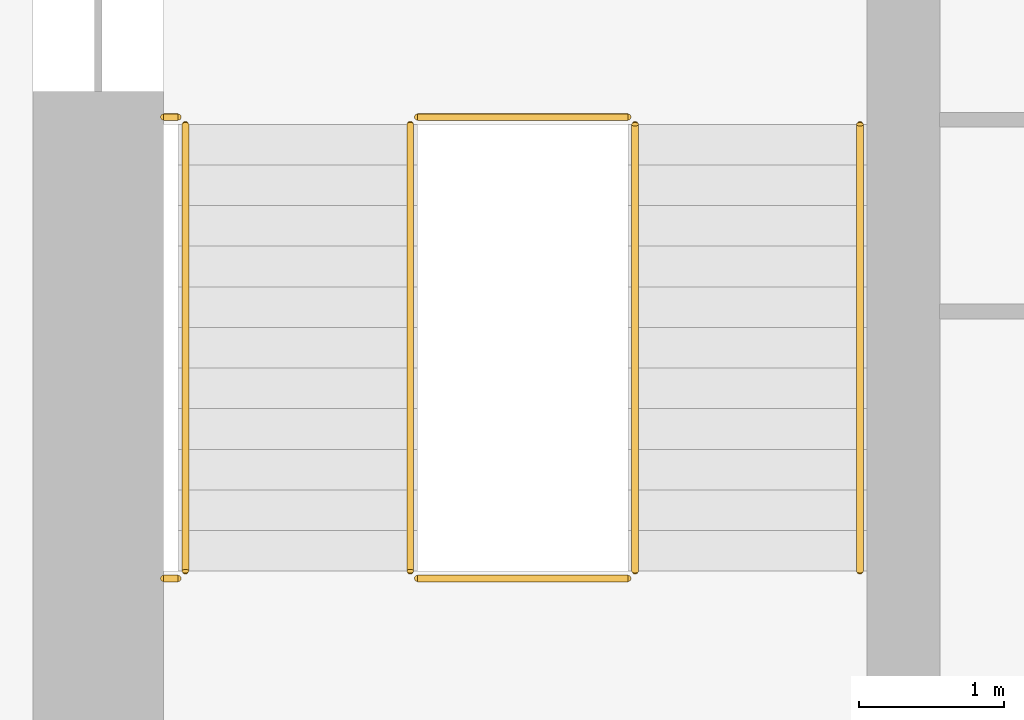
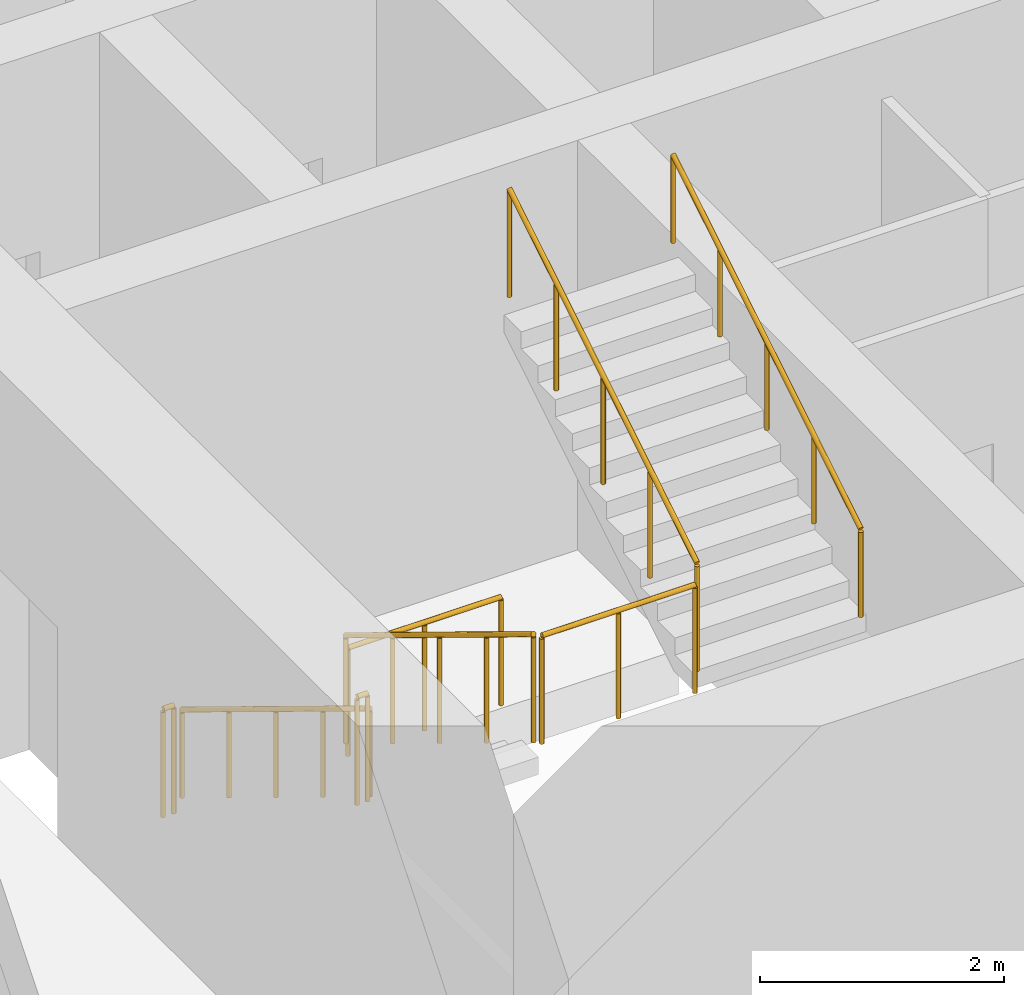
# One storey, part 9 of 17: 8 railings.
"""IFC4 building model written with IfcOpenShell, lengths in metres."""

from ifc_helpers import new_model, si_unit, direction, frame, origin, origin_2d, place, context, subcontext, project, spatial, circle, extrude, material, type_object, element, save


model = new_model("IFC4")

# Units and contexts
model_context = context("Model", 3, precision=1e-05, world=origin(), true_north=direction((0.0, 1.0)))
body_context = subcontext(model_context, "Body", "Model", "MODEL_VIEW")
ifc_project = project(units=[si_unit("LENGTHUNIT", "METRE"), si_unit("AREAUNIT", "SQUARE_METRE"), si_unit("VOLUMEUNIT", "CUBIC_METRE"), si_unit("PLANEANGLEUNIT", "RADIAN"), si_unit("MASSUNIT", "GRAM", prefix="KILO")], contexts=[model_context])

# Site, building, storey
site_placement = place(None, origin())
site = spatial("IfcSite", under=ifc_project, at=site_placement, CompositionType="ELEMENT")
building_placement = place(site_placement, origin())
building = spatial("IfcBuilding", under=site, at=building_placement, Name="Corbel Stack Research Tower", CompositionType="ELEMENT")
storey_placement = place(building_placement, frame((0.0, 0.0, 141.300048828125)))
storey = spatial("IfcBuildingStorey", under=building, at=storey_placement, Name="L32", CompositionType="ELEMENT", Elevation=141.300048828125)

# Railings
ifc_material_1 = material(Name="Steel S355", Category="steel")
railing_type_1 = type_object("IfcRailingType", Name="Stair guard 1100", PredefinedType="GUARDRAIL", material=ifc_material_1)
railing_1_placement = place(storey_placement, frame((-7.89990234375, -2.39990234375, 0.1708984375)))
element("IfcRailing", 1, at=railing_1_placement, inside=storey, type_object=railing_type_1, Name="L32 ST-W1 stair guard 1", PredefinedType="GUARDRAIL", context=body_context, shape_type="SweptSolid", body=[
    extrude(circle(Radius=0.02392578125, at=origin_2d()), frame((0.0, 0.0, 1.076171875), z_axis=(0.0, -0.853666305674, 0.52082035152), x_axis=(1.0, 0.0, 0.0)), (0.0, 0.0, 1.0), 3.608154296875),
    extrude(circle(Radius=0.02099609375, at=origin_2d()), origin(), (0.0, 0.0, 1.0), 1.052001953125),
    extrude(circle(Radius=0.02099609375, at=origin_2d()), frame((0.0, -0.77001953125, 0.4697265625)), (0.0, 0.0, 1.0), 1.052001953125),
    extrude(circle(Radius=0.02099609375, at=origin_2d()), frame((0.0, -1.5400390625, 0.939453125)), (0.0, 0.0, 1.0), 1.052001953125),
    extrude(circle(Radius=0.02099609375, at=origin_2d()), frame((0.0, -2.31005859375, 1.409423828125)), (0.0, 0.0, 1.0), 1.052001953125),
    extrude(circle(Radius=0.02099609375, at=origin_2d()), frame((0.0, -3.080078125, 1.879150390625)), (0.0, 0.0, 1.0), 1.052001953125),
])
railing_2_placement = place(storey_placement, frame((-7.85009765625, -5.530029296875, 2.050048828125)))
element("IfcRailing", 2, at=railing_2_placement, inside=storey, type_object=railing_type_1, Name="L32 ST-W1 stair guard 2", PredefinedType="GUARDRAIL", context=body_context, shape_type="SweptSolid", body=[
    extrude(circle(Radius=0.02392578125, at=origin_2d()), frame((0.0, 0.0, 1.076171875), z_axis=(1.0, 0.0, 0.0), x_axis=(0.0, 1.0, 0.0)), (0.0, 0.0, 1.0), 1.4501953125),
    extrude(circle(Radius=0.02099609375, at=origin_2d()), origin(), (0.0, 0.0, 1.0), 1.052001953125),
    extrude(circle(Radius=0.02099609375, at=origin_2d()), frame((0.72509765625, 0.0, 0.0)), (0.0, 0.0, 1.0), 1.052001953125),
    extrude(circle(Radius=0.02099609375, at=origin_2d()), frame((1.4501953125, 0.0, 0.0)), (0.0, 0.0, 1.0), 1.052001953125),
])
railing_3_placement = place(storey_placement, frame((-9.60009765625, -5.530029296875, 2.050048828125)))
element("IfcRailing", 3, at=railing_3_placement, inside=storey, type_object=railing_type_1, Name="L32 ST-W1 stair guard 3", PredefinedType="GUARDRAIL", context=body_context, shape_type="SweptSolid", body=[
    extrude(circle(Radius=0.02392578125, at=origin_2d()), frame((0.0, 0.0, 1.076171875), z_axis=(1.0, 0.0, 0.0), x_axis=(0.0, 1.0, 0.0)), (0.0, 0.0, 1.0), 0.10009765625),
    extrude(circle(Radius=0.02099609375, at=origin_2d()), origin(), (0.0, 0.0, 1.0), 1.052001953125),
    extrude(circle(Radius=0.02099609375, at=origin_2d()), frame((0.10009765625, 0.0, 0.0)), (0.0, 0.0, 1.0), 1.052001953125),
])
railing_4_placement = place(storey_placement, frame((-6.35009765625, -5.47998046875, 2.220703125)))
element("IfcRailing", 4, at=railing_4_placement, inside=storey, type_object=railing_type_1, Name="L32 ST-W1 stair guard 4", PredefinedType="GUARDRAIL", context=body_context, shape_type="SweptSolid", body=[
    extrude(circle(Radius=0.02392578125, at=origin_2d()), frame((0.0, 0.0, 1.076171875), z_axis=(0.0, 0.853666305674, 0.52082035152), x_axis=(-1.0, 0.0, 0.0)), (0.0, 0.0, 1.0), 3.608154296875),
    extrude(circle(Radius=0.02099609375, at=origin_2d()), origin(), (0.0, 0.0, 1.0), 1.052001953125),
    extrude(circle(Radius=0.02099609375, at=origin_2d()), frame((0.0, 0.77001953125, 0.4697265625)), (0.0, 0.0, 1.0), 1.052001953125),
    extrude(circle(Radius=0.02099609375, at=origin_2d()), frame((0.0, 1.5400390625, 0.939453125)), (0.0, 0.0, 1.0), 1.052001953125),
    extrude(circle(Radius=0.02099609375, at=origin_2d()), frame((0.0, 2.31005859375, 1.409423828125)), (0.0, 0.0, 1.0), 1.052001953125),
    extrude(circle(Radius=0.02099609375, at=origin_2d()), frame((0.0, 3.080078125, 1.879150390625)), (0.0, 0.0, 1.0), 1.052001953125),
])
railing_5_placement = place(storey_placement, frame((-7.85009765625, -2.35009765625, 0.0)))
element("IfcRailing", 5, at=railing_5_placement, inside=storey, type_object=railing_type_1, Name="L32 ST-W1 stair guard 5", PredefinedType="GUARDRAIL", context=body_context, shape_type="SweptSolid", body=[
    extrude(circle(Radius=0.02392578125, at=origin_2d()), frame((0.0, 0.0, 1.076171875), z_axis=(1.0, 0.0, 0.0), x_axis=(0.0, 1.0, 0.0)), (0.0, 0.0, 1.0), 1.4501953125),
    extrude(circle(Radius=0.02099609375, at=origin_2d()), origin(), (0.0, 0.0, 1.0), 1.052001953125),
    extrude(circle(Radius=0.02099609375, at=origin_2d()), frame((0.72509765625, 0.0, 0.0)), (0.0, 0.0, 1.0), 1.052001953125),
    extrude(circle(Radius=0.02099609375, at=origin_2d()), frame((1.4501953125, 0.0, 0.0)), (0.0, 0.0, 1.0), 1.052001953125),
])
railing_6_placement = place(storey_placement, frame((-9.60009765625, -2.35009765625, 0.0)))
element("IfcRailing", 6, at=railing_6_placement, inside=storey, type_object=railing_type_1, Name="L32 ST-W1 stair guard 6", PredefinedType="GUARDRAIL", context=body_context, shape_type="SweptSolid", body=[
    extrude(circle(Radius=0.02392578125, at=origin_2d()), frame((0.0, 0.0, 1.076171875), z_axis=(1.0, 0.0, 0.0), x_axis=(0.0, 1.0, 0.0)), (0.0, 0.0, 1.0), 0.10009765625),
    extrude(circle(Radius=0.02099609375, at=origin_2d()), origin(), (0.0, 0.0, 1.0), 1.052001953125),
    extrude(circle(Radius=0.02099609375, at=origin_2d()), frame((0.10009765625, 0.0, 0.0)), (0.0, 0.0, 1.0), 1.052001953125),
])
ifc_material_2 = material(Name="Steel S355", Category="steel")
railing_type_2 = type_object("IfcRailingType", Name="Stair handrail 900", PredefinedType="HANDRAIL", material=ifc_material_2)
railing_7_placement = place(storey_placement, frame((-9.449951171875, -2.39990234375, 0.1708984375)))
element("IfcRailing", 7, at=railing_7_placement, inside=storey, type_object=railing_type_2, Name="L32 ST-W1 stair handrail 1", PredefinedType="HANDRAIL", context=body_context, shape_type="SweptSolid", body=[
    extrude(circle(Radius=0.02392578125, at=origin_2d()), frame((0.0, 0.0, 0.8759765625), z_axis=(0.0, -0.853666305674, 0.52082035152), x_axis=(1.0, 0.0, 0.0)), (0.0, 0.0, 1.0), 3.608154296875),
    extrude(circle(Radius=0.02099609375, at=origin_2d()), origin(), (0.0, 0.0, 1.0), 0.851806640625),
    extrude(circle(Radius=0.02099609375, at=origin_2d()), frame((0.0, -0.77001953125, 0.4697265625)), (0.0, 0.0, 1.0), 0.851806640625),
    extrude(circle(Radius=0.02099609375, at=origin_2d()), frame((0.0, -1.5400390625, 0.939453125)), (0.0, 0.0, 1.0), 0.851806640625),
    extrude(circle(Radius=0.02099609375, at=origin_2d()), frame((0.0, -2.31005859375, 1.409423828125)), (0.0, 0.0, 1.0), 0.851806640625),
    extrude(circle(Radius=0.02099609375, at=origin_2d()), frame((0.0, -3.080078125, 1.879150390625)), (0.0, 0.0, 1.0), 0.851806640625),
])
railing_8_placement = place(storey_placement, frame((-4.800048828125, -5.47998046875, 2.220703125)))
element("IfcRailing", 8, at=railing_8_placement, inside=storey, type_object=railing_type_2, Name="L32 ST-W1 stair handrail 2", PredefinedType="HANDRAIL", context=body_context, shape_type="SweptSolid", body=[
    extrude(circle(Radius=0.02392578125, at=origin_2d()), frame((0.0, 0.0, 0.8759765625), z_axis=(0.0, 0.853666305674, 0.52082035152), x_axis=(-1.0, 0.0, 0.0)), (0.0, 0.0, 1.0), 3.608154296875),
    extrude(circle(Radius=0.02099609375, at=origin_2d()), origin(), (0.0, 0.0, 1.0), 0.851806640625),
    extrude(circle(Radius=0.02099609375, at=origin_2d()), frame((0.0, 0.77001953125, 0.4697265625)), (0.0, 0.0, 1.0), 0.851806640625),
    extrude(circle(Radius=0.02099609375, at=origin_2d()), frame((0.0, 1.5400390625, 0.939453125)), (0.0, 0.0, 1.0), 0.851806640625),
    extrude(circle(Radius=0.02099609375, at=origin_2d()), frame((0.0, 2.31005859375, 1.409423828125)), (0.0, 0.0, 1.0), 0.851806640625),
    extrude(circle(Radius=0.02099609375, at=origin_2d()), frame((0.0, 3.080078125, 1.879150390625)), (0.0, 0.0, 1.0), 0.851806640625),
])

save(model, "model.ifc")
